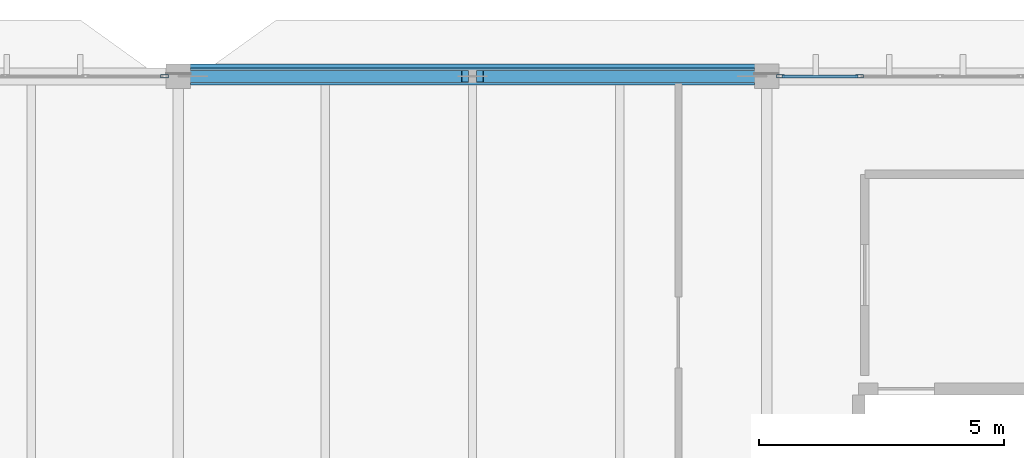
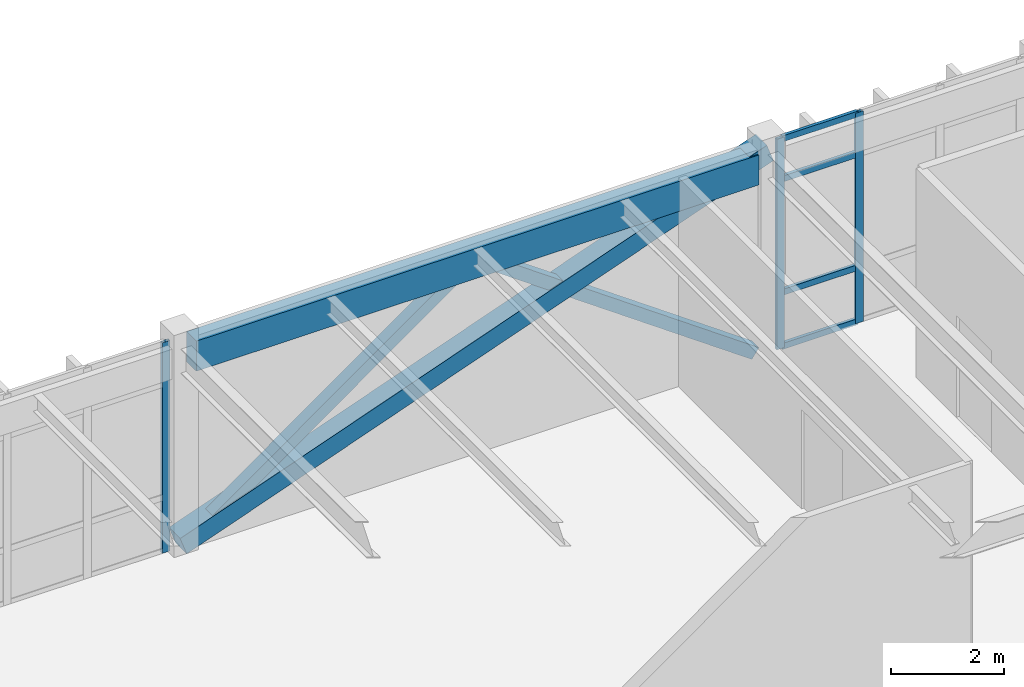
# One storey, part 109 of 236: 10 members, 1 beam, 2 elements without a shape of their own.
"""IFC4 building model written with IfcOpenShell, lengths in metres."""

from ifc_helpers import new_model, si_unit, direction, frame, origin, origin_2d, place, context, subcontext, project, spatial, rectangle, hollow_rectangle, extrude, material, layer, layer_set, material_profile, profile_set, type_object, element, aggregate, save


model = new_model("IFC4")

# Units and contexts
model_context = context("Model", 3, precision=1e-05, world=origin(), true_north=direction((0.0, 1.0)))
body_context = subcontext(model_context, "Body", "Model", "MODEL_VIEW")
ifc_project = project(units=[si_unit("LENGTHUNIT", "METRE"), si_unit("AREAUNIT", "SQUARE_METRE"), si_unit("VOLUMEUNIT", "CUBIC_METRE"), si_unit("PLANEANGLEUNIT", "RADIAN"), si_unit("MASSUNIT", "GRAM", prefix="KILO")], contexts=[model_context])

# Site, building, storey
site_placement = place(None, origin())
site = spatial("IfcSite", under=ifc_project, at=site_placement, CompositionType="ELEMENT")
building_placement = place(site_placement, origin())
building = spatial("IfcBuilding", under=site, at=building_placement, Name="Pandanus Reach Market Hall", CompositionType="ELEMENT")
storey_placement = place(building_placement, frame((0.0, 0.0, 5.39990234375)))
storey = spatial("IfcBuildingStorey", under=building, at=storey_placement, Name="L01", CompositionType="ELEMENT", Elevation=5.39990234375)

# Beam
ifc_material_1 = material(Name="Concrete N40 (40 MPa)", Category="concrete")
ifc_material_profile_1 = material_profile(ifc_material_1, rectangle(XDim=0.35009765625, YDim=0.64990234375, at=origin_2d()), Name="RC350x650", Category="LoadBearing")
ifc_profile_set_1 = profile_set([ifc_material_profile_1], Name="Concrete N40 (40 MPa)")
beam_type = type_object("IfcBeamType", Name="BM-RC350-E", PredefinedType="SPANDREL", material=ifc_profile_set_1)
beam_placement = place(storey_placement, frame((96.248046875, 120.0, 4.135009765625), z_axis=(1.0, 0.0, 0.0), x_axis=(0.0, 1.0, 0.0)))
element("IfcBeam", 1, at=beam_placement, inside=storey, type_object=beam_type, Name="Framing beam BM-RC350-E L01.865", PredefinedType="SPANDREL", context=body_context, shape_type="SweptSolid", body=[
    extrude(rectangle(XDim=0.35009765625, YDim=0.64990234375, at=origin_2d()), origin(), (0.0, 0.0, 1.0), 11.50390625),
])

# Members
ifc_material_2 = material(Name="Steel Grade 350 (350 MPa)", Category="steel")
ifc_material_profile_2 = material_profile(ifc_material_2, hollow_rectangle(XDim=0.25, YDim=0.25, WallThickness=0.010009765625, at=origin_2d()), Name="250x250x10.0SHS", Category="LoadBearing")
ifc_profile_set_2 = profile_set([ifc_material_profile_2], Name="Steel Grade 350 (350 MPa)")
member_type_1 = type_object("IfcMemberType", Name="BR-SHS250-E", PredefinedType="BRACE", material=ifc_profile_set_2)
for number, where, z_axis, x_axis, name in (
    (2, (96.2900390625, 120.0, 0.150146484375), (0.815223104533, 0.0, 0.579147036456), (0.0, 1.0, 0.0), "Chevron brace BR-SHS250-E 8A"),
    (3, (107.7099609375, 120.0, 0.150146484375), (-0.815223104533, 0.0, 0.579147036456), (0.0, -1.0, 0.0), "Chevron brace BR-SHS250-E 8B"),
):
    element("IfcMember", number, at=place(storey_placement, frame(where, z_axis=z_axis, x_axis=x_axis)), inside=storey, type_object=member_type_1, Name=name, PredefinedType="BRACE", context=body_context, shape_type="SweptSolid", body=[
        extrude(hollow_rectangle(XDim=0.25, YDim=0.25, WallThickness=0.010009765625, at=origin_2d()), origin(), (0.0, 0.0, 1.0), 6.8203125),
    ])

# Curtain wall, member
ifc_material_3 = material(Name="Bronze anodised aluminium and low-E glass", Category="aluminium")
ifc_layer = layer(ifc_material_3, 0.159912109375, Name="CW-39")
ifc_layer_set = layer_set([ifc_layer], Name="Bronze anodised aluminium and low-E glass")
curtain_wall_type = type_object("IfcCurtainWallType", Name="CW-39", PredefinedType="NOTDEFINED", material=ifc_layer_set)
curtain_wall_1_placement = place(storey_placement, origin())
curtain_wall_1 = element("IfcCurtainWall", 4, at=curtain_wall_1_placement, inside=storey, type_object=curtain_wall_type, Name="Glazed curtain wall CW-39 CW-0139", PredefinedType="NOTDEFINED")
ifc_material_4 = material(Name="Bronze anodised aluminium", Category="aluminium")
ifc_material_profile_3 = material_profile(ifc_material_4, hollow_rectangle(XDim=0.06494140625, YDim=0.159912109375, WallThickness=0.00390625, at=origin_2d()), Name="ALU65x160", Category="LoadBearing")
ifc_profile_set_3 = profile_set([ifc_material_profile_3], Name="Bronze anodised aluminium")
member_type_2 = type_object("IfcMemberType", Name="CW-M1", PredefinedType="MULLION", material=ifc_profile_set_3)
member_1_placement = place(storey_placement, frame((95.717529296875, 120.0, 0.0), z_axis=(0.0, 0.0, 1.0), x_axis=(0.0, 1.0, 0.0)))
member_1 = element("IfcMember", 5, at=member_1_placement, type_object=member_type_2, Name="CW-39 mullion 8", PredefinedType="MULLION", context=body_context, shape_type="SweptSolid", body=[
    extrude(hollow_rectangle(XDim=0.06494140625, YDim=0.159912109375, WallThickness=0.00390625, at=origin_2d()), origin(), (0.0, 0.0, 1.0), 4.550048828125),
])
aggregate(curtain_wall_1, [member_1])

# Curtain wall, members
curtain_wall_2_placement = place(storey_placement, origin())
curtain_wall_2 = element("IfcCurtainWall", 6, at=curtain_wall_2_placement, inside=storey, type_object=curtain_wall_type, Name="Glazed curtain wall CW-39 CW-0142", PredefinedType="NOTDEFINED")
member_2_placement = place(storey_placement, frame((108.282470703125, 120.0, 0.0), z_axis=(0.0, 0.0, 1.0), x_axis=(0.0, 1.0, 0.0)))
member_2 = element("IfcMember", 7, at=member_2_placement, type_object=member_type_2, Name="CW-39 mullion 1", PredefinedType="MULLION", context=body_context, shape_type="SweptSolid", body=[
    extrude(hollow_rectangle(XDim=0.06494140625, YDim=0.159912109375, WallThickness=0.00390625, at=origin_2d()), origin(), (0.0, 0.0, 1.0), 4.550048828125),
])
member_3_placement = place(storey_placement, frame((109.892822265625, 120.0, 0.0), z_axis=(0.0, 0.0, 1.0), x_axis=(0.0, 1.0, 0.0)))
member_3 = element("IfcMember", 8, at=member_3_placement, type_object=member_type_2, Name="CW-39 mullion 2", PredefinedType="MULLION", context=body_context, shape_type="SweptSolid", body=[
    extrude(hollow_rectangle(XDim=0.06494140625, YDim=0.159912109375, WallThickness=0.00390625, at=origin_2d()), origin(), (0.0, 0.0, 1.0), 4.550048828125),
])
ifc_material_profile_4 = material_profile(ifc_material_4, hollow_rectangle(XDim=0.06494140625, YDim=0.1298828125, WallThickness=0.00390625, at=origin_2d()), Name="ALU65x130", Category="LoadBearing")
ifc_profile_set_4 = profile_set([ifc_material_profile_4], Name="Bronze anodised aluminium")
member_type_3 = type_object("IfcMemberType", Name="CW-T1", PredefinedType="USERDEFINED", material=ifc_profile_set_4)
member_4_placement = place(storey_placement, frame((108.31494140625, 120.0, 0.03271484375), z_axis=(1.0, 0.0, 0.0), x_axis=(0.0, 1.0, 0.0)))
member_4 = element("IfcMember", 9, at=member_4_placement, type_object=member_type_3, Name="CW-39 transom 1.1", ObjectType="TRANSOM", PredefinedType="USERDEFINED", context=body_context, shape_type="SweptSolid", body=[
    extrude(hollow_rectangle(XDim=0.06494140625, YDim=0.1298828125, WallThickness=0.00390625, at=origin_2d()), origin(), (0.0, 0.0, 1.0), 1.54541015625),
])
member_5_placement = place(storey_placement, frame((108.31494140625, 120.0, 1.2001953125), z_axis=(1.0, 0.0, 0.0), x_axis=(0.0, 1.0, 0.0)))
member_5 = element("IfcMember", 10, at=member_5_placement, type_object=member_type_3, Name="CW-39 transom 1.2", ObjectType="TRANSOM", PredefinedType="USERDEFINED", context=body_context, shape_type="SweptSolid", body=[
    extrude(hollow_rectangle(XDim=0.06494140625, YDim=0.1298828125, WallThickness=0.00390625, at=origin_2d()), origin(), (0.0, 0.0, 1.0), 1.54541015625),
])
member_6_placement = place(storey_placement, frame((108.31494140625, 120.0, 3.650146484375), z_axis=(1.0, 0.0, 0.0), x_axis=(0.0, 1.0, 0.0)))
member_6 = element("IfcMember", 11, at=member_6_placement, type_object=member_type_3, Name="CW-39 transom 1.3", ObjectType="TRANSOM", PredefinedType="USERDEFINED", context=body_context, shape_type="SweptSolid", body=[
    extrude(hollow_rectangle(XDim=0.06494140625, YDim=0.1298828125, WallThickness=0.00390625, at=origin_2d()), origin(), (0.0, 0.0, 1.0), 1.54541015625),
])
member_7_placement = place(storey_placement, frame((108.31494140625, 120.0, 4.517578125), z_axis=(1.0, 0.0, 0.0), x_axis=(0.0, 1.0, 0.0)))
member_7 = element("IfcMember", 12, at=member_7_placement, type_object=member_type_3, Name="CW-39 transom 1.4", ObjectType="TRANSOM", PredefinedType="USERDEFINED", context=body_context, shape_type="SweptSolid", body=[
    extrude(hollow_rectangle(XDim=0.06494140625, YDim=0.1298828125, WallThickness=0.00390625, at=origin_2d()), origin(), (0.0, 0.0, 1.0), 1.54541015625),
])
aggregate(curtain_wall_2, [member_2, member_3, member_4, member_5, member_6, member_7])

# Member
ifc_material_5 = material(Name="Concrete N50 (50 MPa)", Category="concrete")
ifc_material_profile_5 = material_profile(ifc_material_5, rectangle(XDim=0.39990234375, YDim=0.39990234375, at=origin_2d()), Name="RC400x400", Category="LoadBearing")
ifc_profile_set_5 = profile_set([ifc_material_profile_5], Name="Concrete N50 (50 MPa)")
member_type_4 = type_object("IfcMemberType", Name="VS-RC400-E", PredefinedType="STRUT", material=ifc_profile_set_5)
member_8_placement = place(storey_placement, frame((96.0, 120.050048828125, 0.10009765625), z_axis=(0.941385198431, 0.0, 0.337333526611), x_axis=(0.0, 1.0, 0.0)))
element("IfcMember", 13, at=member_8_placement, inside=storey, type_object=member_type_4, Name="Sculpted concrete diagrid rib 16", PredefinedType="STRUT", context=body_context, shape_type="SweptSolid", body=[
    extrude(rectangle(XDim=0.39990234375, YDim=0.39990234375, at=origin_2d()), origin(), (0.0, 0.0, 1.0), 12.7470703125),
])

save(model, "model.ifc")
